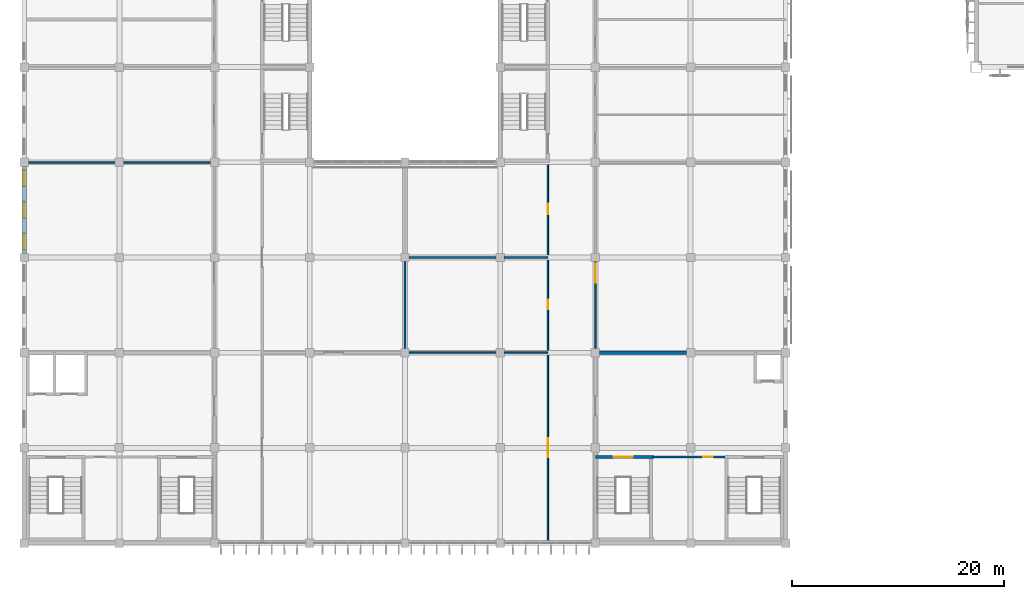
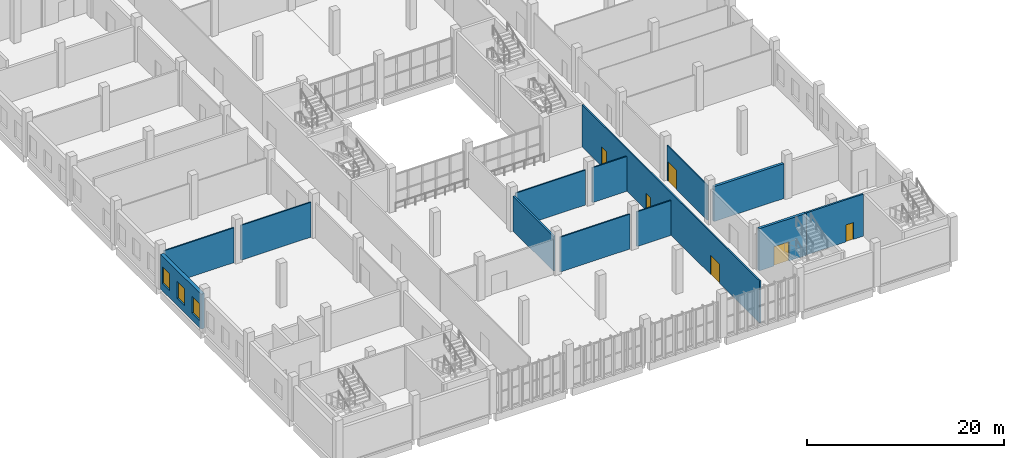
# One storey, part 105 of 185: 13 walls, 6 doors, 3 windows, 9 openings.
"""IFC4 building model written with IfcOpenShell, lengths in metres."""

from ifc_helpers import new_model, si_unit, direction, frame, frame_2d, origin, place, context, subcontext, project, spatial, rectangle, extrude, material, layer, layer_set, type_object, element, fill, save


model = new_model("IFC4")

# Units and contexts
model_context = context("Model", 3, precision=1e-05, world=origin(), true_north=direction((0.0, 1.0)))
body_context = subcontext(model_context, "Body", "Model", "MODEL_VIEW")
ifc_project = project(units=[si_unit("LENGTHUNIT", "METRE"), si_unit("AREAUNIT", "SQUARE_METRE"), si_unit("VOLUMEUNIT", "CUBIC_METRE"), si_unit("PLANEANGLEUNIT", "RADIAN"), si_unit("MASSUNIT", "GRAM", prefix="KILO")], contexts=[model_context])

# Site, building, storey
site_placement = place(None, origin())
site = spatial("IfcSite", under=ifc_project, at=site_placement, CompositionType="ELEMENT")
building_placement = place(site_placement, origin())
building = spatial("IfcBuilding", under=site, at=building_placement, Name="Opaline Strait Convention Centre", CompositionType="ELEMENT")
storey_placement = place(building_placement, frame((0.0, 0.0, 6.0)))
storey = spatial("IfcBuildingStorey", under=building, at=storey_placement, Name="L01", CompositionType="ELEMENT", Elevation=6.0)

# Wall, opening, door
ifc_material_1 = material(Name="Gypsum board on metal studs with mineral wool")
ifc_layer_1 = layer(ifc_material_1, 0.199951171875)
ifc_layer_set_1 = layer_set([ifc_layer_1], Name="Gypsum board on metal studs with mineral wool")
wall_type_1 = type_object("IfcWallType", Name="Fire partition 200", PredefinedType="PARTITIONING", material=ifc_layer_set_1)
wall_1_placement = place(storey_placement, frame((75.25, 17.14990234375, 0.0), z_axis=(0.0, 0.0, 1.0), x_axis=(-1.0, 0.0, 0.0)))
wall_1 = element("IfcWall", 1, at=wall_1_placement, inside=storey, type_object=wall_type_1, Name="SE core STORE-N wall", PredefinedType="PARTITIONING", context=body_context, shape_type="SweptSolid", body=[
    extrude(rectangle(XDim=6.85009765625, YDim=0.199951171875, at=frame_2d((3.425048828125, 0.0))), origin(), (0.0, 0.0, 1.0), 5.219970703125),
])
opening_1_placement = place(wall_1_placement, frame((1.14990234375, 0.0, 0.0)))
opening_1 = element("IfcOpeningElement", 2, at=opening_1_placement, cuts=wall_1, Name="Opening R1-009", PredefinedType="OPENING", context=body_context, shape_type="SweptSolid", body=[
    extrude(rectangle(XDim=0.89990234375, YDim=2.10009765625, at=frame_2d((0.449951171875, 1.050048828125))), frame((0.0, 0.10986328125, 0.0), z_axis=(0.0, -1.0, 0.0), x_axis=(1.0, 0.0, 0.0)), (0.0, 0.0, 1.0), 0.219970703125),
])
ifc_material_2 = material(Name="Galvanised steel door leaf", Category="steel")
door_type_1 = type_object("IfcDoorType", Name="Services store door 900x2100 FD60", OperationType="SINGLE_SWING_LEFT", PredefinedType="DOOR", material=ifc_material_2)
door_1_placement = place(opening_1_placement, frame((0.89990234375, 0.0, 0.0), z_axis=(0.0, 0.0, 1.0), x_axis=(-1.0, 0.0, 0.0)))
door_1 = element("IfcDoor", 3, at=door_1_placement, inside=storey, type_object=door_type_1, Name="Services store door SE R1-009", ObjectType="RD8", OperationType="SINGLE_SWING_LEFT", OverallHeight=2.10009765625, OverallWidth=0.89990234375, PredefinedType="DOOR", context=body_context, shape_type="SweptSolid", body=[
    extrude(rectangle(XDim=0.89990234375, YDim=2.10009765625, at=frame_2d((0.449951171875, 1.050048828125))), frame((0.0, 0.02490234375, 0.0), z_axis=(0.0, -1.0, 0.0), x_axis=(1.0, 0.0, 0.0)), (0.0, 0.0, 1.0), 0.050048828125),
])
fill(opening_1, door_1)

# Walls
wall_2_placement = place(storey_placement, frame((45.0, 27.39990234375, 0.0), z_axis=(0.0, 0.0, 1.0), x_axis=(0.0, 1.0, 0.0)))
element("IfcWall", 4, at=wall_2_placement, inside=storey, type_object=wall_type_1, Name="L01 partition", PredefinedType="PARTITIONING", context=body_context, shape_type="SweptSolid", body=[
    extrude(rectangle(XDim=8.2001953125, YDim=0.199951171875, at=frame_2d((4.10009765625, 0.0))), origin(), (0.0, 0.0, 1.0), 4.320068359375),
])
ifc_layer_2 = layer(ifc_material_1, 0.14990234375)
ifc_layer_set_2 = layer_set([ifc_layer_2], Name="Gypsum board on metal studs with mineral wool")
wall_type_2 = type_object("IfcWallType", Name="Partition 150", PredefinedType="PARTITIONING", material=ifc_layer_set_2)
wall_3_placement = place(storey_placement, frame((45.39990234375, 27.0, 0.0), z_axis=(0.0, 0.0, 1.0), x_axis=(1.0, 0.0, 0.0)))
element("IfcWall", 5, at=wall_3_placement, inside=storey, type_object=wall_type_2, Name="L01 partition", PredefinedType="PARTITIONING", context=body_context, shape_type="SweptSolid", body=[
    extrude(rectangle(XDim=8.2001953125, YDim=0.14990234375, at=frame_2d((4.10009765625, 0.0))), origin(), (0.0, 0.0, 1.0), 4.320068359375),
])
wall_4_placement = place(storey_placement, frame((54.39990234375, 27.0, 0.0), z_axis=(0.0, 0.0, 1.0), x_axis=(1.0, 0.0, 0.0)))
element("IfcWall", 6, at=wall_4_placement, inside=storey, type_object=wall_type_2, Name="L01 partition", PredefinedType="PARTITIONING", context=body_context, shape_type="SweptSolid", body=[
    extrude(rectangle(XDim=4.10009765625, YDim=0.14990234375, at=frame_2d((2.050048828125, 0.0))), origin(), (0.0, 0.0, 1.0), 4.320068359375),
])
wall_5_placement = place(storey_placement, frame((45.39990234375, 36.0, 0.0), z_axis=(0.0, 0.0, 1.0), x_axis=(1.0, 0.0, 0.0)))
element("IfcWall", 7, at=wall_5_placement, inside=storey, type_object=wall_type_2, Name="L01 partition", PredefinedType="PARTITIONING", context=body_context, shape_type="SweptSolid", body=[
    extrude(rectangle(XDim=8.2001953125, YDim=0.14990234375, at=frame_2d((4.10009765625, 0.0))), origin(), (0.0, 0.0, 1.0), 4.320068359375),
])
wall_6_placement = place(storey_placement, frame((54.39990234375, 36.0, 0.0), z_axis=(0.0, 0.0, 1.0), x_axis=(1.0, 0.0, 0.0)))
element("IfcWall", 8, at=wall_6_placement, inside=storey, type_object=wall_type_2, Name="L01 partition", PredefinedType="PARTITIONING", context=body_context, shape_type="SweptSolid", body=[
    extrude(rectangle(XDim=4.10009765625, YDim=0.14990234375, at=frame_2d((2.050048828125, 0.0))), origin(), (0.0, 0.0, 1.0), 4.320068359375),
])
for number, where, z_axis, x_axis, name in (
    (9, (9.39990234375, 45.0, 0.0), (0.0, 0.0, 1.0), (1.0, 0.0, 0.0), "L01 partition"),
    (10, (18.39990234375, 45.0, 0.0), (0.0, 0.0, 1.0), (1.0, 0.0, 0.0), "L01 partition"),
):
    element("IfcWall", number, at=place(storey_placement, frame(where, z_axis=z_axis, x_axis=x_axis)), inside=storey, type_object=wall_type_2, Name=name, PredefinedType="PARTITIONING", context=body_context, shape_type="SweptSolid", body=[
        extrude(rectangle(XDim=8.2001953125, YDim=0.14990234375, at=frame_2d((4.10009765625, 0.0))), origin(), (0.0, 0.0, 1.0), 4.320068359375),
    ])

# Wall, openings, doors
wall_7_placement = place(storey_placement, frame((58.5, 9.0, 0.0), z_axis=(0.0, 0.0, 1.0), x_axis=(0.0, 1.0, 0.0)))
wall_7 = element("IfcWall", 11, at=wall_7_placement, inside=storey, type_object=wall_type_2, Name="L01 partition", PredefinedType="PARTITIONING", context=body_context, shape_type="SweptSolid", body=[
    extrude(rectangle(XDim=36.0, YDim=0.14990234375, at=frame_2d((18.0, 0.0))), origin(), (0.0, 0.0, 1.0), 5.219970703125),
])
opening_2_placement = place(wall_7_placement, frame((8.10009765625, 0.0, 0.0)))
opening_2 = element("IfcOpeningElement", 12, at=opening_2_placement, cuts=wall_7, Name="Opening R1-028", PredefinedType="OPENING", context=body_context, shape_type="SweptSolid", body=[
    extrude(rectangle(XDim=1.800048828125, YDim=2.39990234375, at=frame_2d((0.89990234375, 1.199951171875))), frame((0.0, 0.0849609375, 0.0), z_axis=(0.0, -1.0, 0.0), x_axis=(1.0, 0.0, 0.0)), (0.0, 0.0, 1.0), 0.169921875),
])
opening_3_placement = place(wall_7_placement, frame((22.10009765625, 0.0, 0.0)))
opening_3 = element("IfcOpeningElement", 13, at=opening_3_placement, cuts=wall_7, Name="Opening R1-031", PredefinedType="OPENING", context=body_context, shape_type="SweptSolid", body=[
    extrude(rectangle(XDim=0.89990234375, YDim=2.10009765625, at=frame_2d((0.449951171875, 1.050048828125))), frame((0.0, 0.0849609375, 0.0), z_axis=(0.0, -1.0, 0.0), x_axis=(1.0, 0.0, 0.0)), (0.0, 0.0, 1.0), 0.169921875),
])
opening_4_placement = place(wall_7_placement, frame((31.10009765625, 0.0, 0.0)))
opening_4 = element("IfcOpeningElement", 14, at=opening_4_placement, cuts=wall_7, Name="Opening R1-032", PredefinedType="OPENING", context=body_context, shape_type="SweptSolid", body=[
    extrude(rectangle(XDim=1.0, YDim=2.39990234375, at=frame_2d((0.5, 1.199951171875))), frame((0.0, 0.0849609375, 0.0), z_axis=(0.0, -1.0, 0.0), x_axis=(1.0, 0.0, 0.0)), (0.0, 0.0, 1.0), 0.169921875),
])
ifc_material_3 = material(Name="Timber door leaf in steel frame", Category="steel")
door_type_2 = type_object("IfcDoorType", Name="Door 1000x2400 single FD30", OperationType="SINGLE_SWING_LEFT", PredefinedType="DOOR", material=ifc_material_3)
door_2_placement = place(opening_4_placement, frame((1.0, 0.0, 0.0), z_axis=(0.0, 0.0, 1.0), x_axis=(-1.0, 0.0, 0.0)))
door_2 = element("IfcDoor", 15, at=door_2_placement, inside=storey, type_object=door_type_2, Name="Staff Rest Room door R1-032", ObjectType="RD1", OperationType="SINGLE_SWING_LEFT", OverallHeight=2.39990234375, OverallWidth=1.0, PredefinedType="DOOR", context=body_context, shape_type="SweptSolid", body=[
    extrude(rectangle(XDim=1.0, YDim=2.39990234375, at=frame_2d((0.5, 1.199951171875))), frame((0.0, 0.02490234375, 0.0), z_axis=(0.0, -1.0, 0.0), x_axis=(1.0, 0.0, 0.0)), (0.0, 0.0, 1.0), 0.050048828125),
])
fill(opening_4, door_2)
ifc_material_4 = material(Name="Timber door leaves in steel frame", Category="steel")
door_type_3 = type_object("IfcDoorType", Name="Door 1800x2400 double FD30", OperationType="DOUBLE_DOOR_SINGLE_SWING", PredefinedType="DOOR", material=ifc_material_4)
door_3_placement = place(opening_2_placement, frame((1.800048828125, 0.0, 0.0), z_axis=(0.0, 0.0, 1.0), x_axis=(-1.0, 0.0, 0.0)))
door_3 = element("IfcDoor", 16, at=door_3_placement, inside=storey, type_object=door_type_3, Name="Food Court door R1-028", ObjectType="RD2", OperationType="DOUBLE_DOOR_SINGLE_SWING", OverallHeight=2.39990234375, OverallWidth=1.800048828125, PredefinedType="DOOR", context=body_context, shape_type="SweptSolid", body=[
    extrude(rectangle(XDim=1.800048828125, YDim=2.39990234375, at=frame_2d((0.89990234375, 1.199951171875))), frame((0.0, 0.02490234375, 0.0), z_axis=(0.0, -1.0, 0.0), x_axis=(1.0, 0.0, 0.0)), (0.0, 0.0, 1.0), 0.050048828125),
])
fill(opening_2, door_3)
door_type_4 = type_object("IfcDoorType", Name="Store door 900x2100 FD30", OperationType="SINGLE_SWING_LEFT", PredefinedType="DOOR", material=ifc_material_3)
door_4_placement = place(opening_3_placement, frame((0.89990234375, 0.0, 0.0), z_axis=(0.0, 0.0, 1.0), x_axis=(-1.0, 0.0, 0.0)))
door_4 = element("IfcDoor", 17, at=door_4_placement, inside=storey, type_object=door_type_4, Name="Catering Store door R1-031", ObjectType="RD5", OperationType="SINGLE_SWING_LEFT", OverallHeight=2.10009765625, OverallWidth=0.89990234375, PredefinedType="DOOR", context=body_context, shape_type="SweptSolid", body=[
    extrude(rectangle(XDim=0.89990234375, YDim=2.10009765625, at=frame_2d((0.449951171875, 1.050048828125))), frame((0.0, 0.02490234375, 0.0), z_axis=(0.0, -1.0, 0.0), x_axis=(1.0, 0.0, 0.0)), (0.0, 0.0, 1.0), 0.050048828125),
])
fill(opening_3, door_4)

# Wall, opening, door
wall_8_placement = place(storey_placement, frame((63.0, 27.39990234375, 0.0), z_axis=(0.0, 0.0, 1.0), x_axis=(0.0, 1.0, 0.0)))
wall_8 = element("IfcWall", 18, at=wall_8_placement, inside=storey, type_object=wall_type_2, Name="L01 partition", PredefinedType="PARTITIONING", context=body_context, shape_type="SweptSolid", body=[
    extrude(rectangle(XDim=8.2001953125, YDim=0.14990234375, at=frame_2d((4.10009765625, 0.0))), origin(), (0.0, 0.0, 1.0), 4.320068359375),
])
opening_5_placement = place(wall_8_placement, frame((6.199951171875, 0.0, 0.0)))
opening_5 = element("IfcOpeningElement", 19, at=opening_5_placement, cuts=wall_8, Name="Opening R1-043", PredefinedType="OPENING", context=body_context, shape_type="SweptSolid", body=[
    extrude(rectangle(XDim=1.800048828125, YDim=2.39990234375, at=frame_2d((0.89990234375, 1.199951171875))), frame((0.0, 0.0849609375, 0.0), z_axis=(0.0, -1.0, 0.0), x_axis=(1.0, 0.0, 0.0)), (0.0, 0.0, 1.0), 0.169921875),
])
door_5_placement = place(opening_5_placement, origin())
door_5 = element("IfcDoor", 20, at=door_5_placement, inside=storey, type_object=door_type_3, Name="Noodle Restaurant door R1-043", ObjectType="RD2", OperationType="DOUBLE_DOOR_SINGLE_SWING", OverallHeight=2.39990234375, OverallWidth=1.800048828125, PredefinedType="DOOR", context=body_context, shape_type="SweptSolid", body=[
    extrude(rectangle(XDim=1.800048828125, YDim=2.39990234375, at=frame_2d((0.89990234375, 1.199951171875))), frame((0.0, 0.02490234375, 0.0), z_axis=(0.0, -1.0, 0.0), x_axis=(1.0, 0.0, 0.0)), (0.0, 0.0, 1.0), 0.050048828125),
])
fill(opening_5, door_5)

ifc_material_5 = material(Name="Concrete C40", Category="concrete")
ifc_layer_3 = layer(ifc_material_5, 0.300048828125)
ifc_layer_set_3 = layer_set([ifc_layer_3], Name="Concrete C40")
wall_type_3 = type_object("IfcWallType", Name="RC wall 300 C40", PredefinedType="SOLIDWALL", material=ifc_layer_set_3)
wall_9_placement = place(storey_placement, frame((68.550048828125, 17.14990234375, 0.0), z_axis=(0.0, 0.0, 1.0), x_axis=(-1.0, 0.0, 0.0)))
wall_9 = element("IfcWall", 21, at=wall_9_placement, inside=storey, type_object=wall_type_3, Name="SE core STB-N wall", PredefinedType="SOLIDWALL", context=body_context, shape_type="SweptSolid", body=[
    extrude(rectangle(XDim=5.550048828125, YDim=0.300048828125, at=frame_2d((2.77490234375, 0.0))), origin(), (0.0, 0.0, 1.0), 5.219970703125),
])
opening_6_placement = place(wall_9_placement, frame((2.02490234375, 0.0, 0.0)))
opening_6 = element("IfcOpeningElement", 22, at=opening_6_placement, cuts=wall_9, Name="Opening R1-008", PredefinedType="OPENING", context=body_context, shape_type="SweptSolid", body=[
    extrude(rectangle(XDim=1.800048828125, YDim=2.39990234375, at=frame_2d((0.89990234375, 1.199951171875))), frame((0.0, 0.159912109375, 0.0), z_axis=(0.0, -1.0, 0.0), x_axis=(1.0, 0.0, 0.0)), (0.0, 0.0, 1.0), 0.320068359375),
])
door_type_5 = type_object("IfcDoorType", Name="Stair door 1800x2400 double FD60", OperationType="DOUBLE_DOOR_SINGLE_SWING", PredefinedType="DOOR", material=ifc_material_4)
door_6_placement = place(opening_6_placement, frame((1.800048828125, 0.0, 0.0), z_axis=(0.0, 0.0, 1.0), x_axis=(-1.0, 0.0, 0.0)))
door_6 = element("IfcDoor", 23, at=door_6_placement, inside=storey, type_object=door_type_5, Name="Stair door SEB R1-008", ObjectType="RD7", OperationType="DOUBLE_DOOR_SINGLE_SWING", OverallHeight=2.39990234375, OverallWidth=1.800048828125, PredefinedType="DOOR", context=body_context, shape_type="SweptSolid", body=[
    extrude(rectangle(XDim=1.800048828125, YDim=2.39990234375, at=frame_2d((0.89990234375, 1.199951171875))), frame((0.0, 0.02490234375, 0.0), z_axis=(0.0, -1.0, 0.0), x_axis=(1.0, 0.0, 0.0)), (0.0, 0.0, 1.0), 0.050048828125),
])
fill(opening_6, door_6)

# Wall
wall_10_placement = place(storey_placement, frame((71.60009765625, 27.0, 0.0), z_axis=(0.0, 0.0, 1.0), x_axis=(-1.0, 0.0, 0.0)))
element("IfcWall", 24, at=wall_10_placement, inside=storey, type_object=wall_type_3, Name="SE core BND-N wall", PredefinedType="SOLIDWALL", context=body_context, shape_type="SweptSolid", body=[
    extrude(rectangle(XDim=8.2001953125, YDim=0.300048828125, at=frame_2d((4.10009765625, 0.0))), origin(), (0.0, 0.0, 1.0), 4.320068359375),
])

# Wall, openings, windows
ifc_layer_4 = layer(ifc_material_5, 0.320068359375)
ifc_material_6 = material(Name="Mineral wool insulation")
ifc_layer_5 = layer(ifc_material_6, 0.050048828125)
ifc_material_7 = material(Name="Gypsum board lining")
ifc_layer_6 = layer(ifc_material_7, 0.030029296875)
ifc_layer_set_4 = layer_set([ifc_layer_4, ifc_layer_5, ifc_layer_6], Name="Concrete C40, Mineral wool insulation, Gypsum board lining")
wall_type_4 = type_object("IfcWallType", Name="RC wall 400 C40", PredefinedType="SOLIDWALL", material=ifc_layer_set_4)
wall_11_placement = place(storey_placement, frame((9.0, 36.39990234375, 0.0), z_axis=(0.0, 0.0, 1.0), x_axis=(0.0, 1.0, 0.0)))
wall_11 = element("IfcWall", 25, at=wall_11_placement, inside=storey, type_object=wall_type_4, Name="L01 W external wall 4", PredefinedType="SOLIDWALL", context=body_context, shape_type="SweptSolid", body=[
    extrude(rectangle(XDim=8.2001953125, YDim=0.39990234375, at=frame_2d((4.10009765625, 0.0))), origin(), (0.0, 0.0, 1.0), 4.320068359375),
])
opening_7_placement = place(wall_11_placement, frame((0.35009765625, 0.0, 0.89990234375)))
opening_7 = element("IfcOpeningElement", 26, at=opening_7_placement, cuts=wall_11, Name="Opening RWN1", PredefinedType="OPENING", context=body_context, shape_type="SweptSolid", body=[
    extrude(rectangle(XDim=1.5, YDim=2.10009765625, at=frame_2d((0.75, 1.050048828125))), frame((0.0, 0.2099609375, 0.0), z_axis=(0.0, -1.0, 0.0), x_axis=(1.0, 0.0, 0.0)), (0.0, 0.0, 1.0), 0.419921875),
])
opening_8_placement = place(wall_11_placement, frame((3.35009765625, 0.0, 0.89990234375)))
opening_8 = element("IfcOpeningElement", 27, at=opening_8_placement, cuts=wall_11, Name="Opening RWN1", PredefinedType="OPENING", context=body_context, shape_type="SweptSolid", body=[
    extrude(rectangle(XDim=1.5, YDim=2.10009765625, at=frame_2d((0.75, 1.050048828125))), frame((0.0, 0.2099609375, 0.0), z_axis=(0.0, -1.0, 0.0), x_axis=(1.0, 0.0, 0.0)), (0.0, 0.0, 1.0), 0.419921875),
])
opening_9_placement = place(wall_11_placement, frame((6.35009765625, 0.0, 0.89990234375)))
opening_9 = element("IfcOpeningElement", 28, at=opening_9_placement, cuts=wall_11, Name="Opening RWN1", PredefinedType="OPENING", context=body_context, shape_type="SweptSolid", body=[
    extrude(rectangle(XDim=1.5, YDim=2.10009765625, at=frame_2d((0.75, 1.050048828125))), frame((0.0, 0.2099609375, 0.0), z_axis=(0.0, -1.0, 0.0), x_axis=(1.0, 0.0, 0.0)), (0.0, 0.0, 1.0), 0.419921875),
])
ifc_material_8 = material(Name="Aluminium framed double glazing", Category="aluminium")
window_type = type_object("IfcWindowType", Name="Window 1500x2100 sill 900", PartitioningType="SINGLE_PANEL", PredefinedType="WINDOW", material=ifc_material_8)
window_1_placement = place(opening_7_placement, origin())
window_1 = element("IfcWindow", 29, at=window_1_placement, inside=storey, type_object=window_type, Name="Window L01-W4-W1", OverallHeight=2.10009765625, OverallWidth=1.5, PartitioningType="SINGLE_PANEL", PredefinedType="WINDOW", context=body_context, shape_type="SweptSolid", body=[
    extrude(rectangle(XDim=1.5, YDim=2.10009765625, at=frame_2d((0.75, 1.050048828125))), frame((0.0, 0.030029296875, 0.0), z_axis=(0.0, -1.0, 0.0), x_axis=(1.0, 0.0, 0.0)), (0.0, 0.0, 1.0), 0.06005859375),
])
fill(opening_7, window_1)
window_2_placement = place(opening_8_placement, origin())
window_2 = element("IfcWindow", 30, at=window_2_placement, inside=storey, type_object=window_type, Name="Window L01-W4-W2", OverallHeight=2.10009765625, OverallWidth=1.5, PartitioningType="SINGLE_PANEL", PredefinedType="WINDOW", context=body_context, shape_type="SweptSolid", body=[
    extrude(rectangle(XDim=1.5, YDim=2.10009765625, at=frame_2d((0.75, 1.050048828125))), frame((0.0, 0.030029296875, 0.0), z_axis=(0.0, -1.0, 0.0), x_axis=(1.0, 0.0, 0.0)), (0.0, 0.0, 1.0), 0.06005859375),
])
fill(opening_8, window_2)
window_3_placement = place(opening_9_placement, origin())
window_3 = element("IfcWindow", 31, at=window_3_placement, inside=storey, type_object=window_type, Name="Window L01-W4-W3", OverallHeight=2.10009765625, OverallWidth=1.5, PartitioningType="SINGLE_PANEL", PredefinedType="WINDOW", context=body_context, shape_type="SweptSolid", body=[
    extrude(rectangle(XDim=1.5, YDim=2.10009765625, at=frame_2d((0.75, 1.050048828125))), frame((0.0, 0.030029296875, 0.0), z_axis=(0.0, -1.0, 0.0), x_axis=(1.0, 0.0, 0.0)), (0.0, 0.0, 1.0), 0.06005859375),
])
fill(opening_9, window_3)

save(model, "model.ifc")
